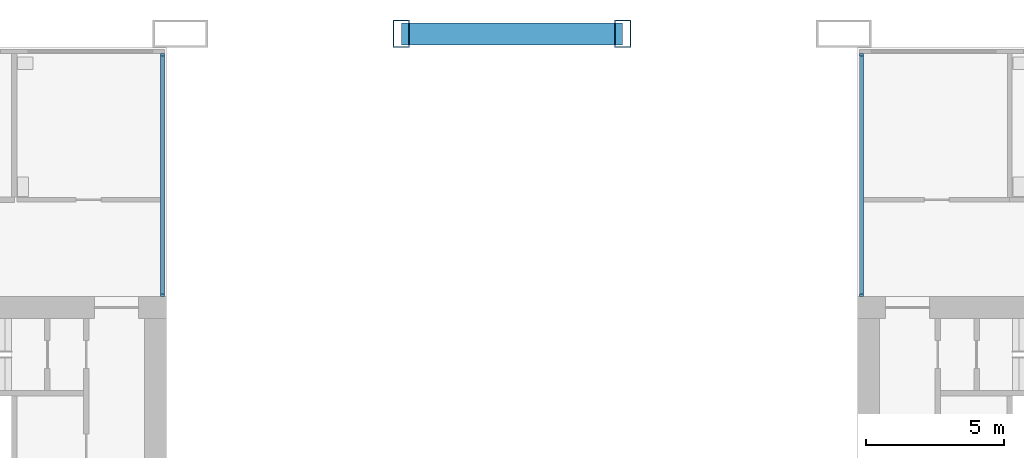
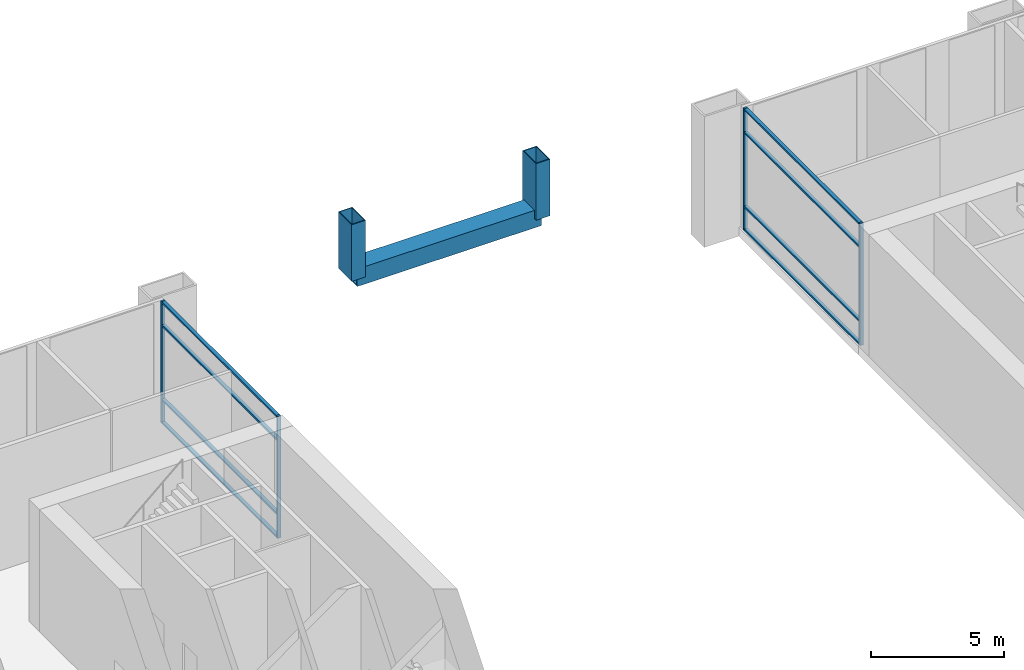
# One storey, part 13 of 25: 15 members, 2 elements without a shape of their own.
"""IFC4 building model written with IfcOpenShell, lengths in metres."""

from ifc_helpers import new_model, si_unit, direction, frame, origin, origin_2d, place, context, subcontext, project, spatial, rectangle, hollow_rectangle, extrude, material, material_profile, profile_set, type_object, element, aggregate, save


model = new_model("IFC4")

# Units and contexts
model_context = context("Model", 3, precision=1e-05, world=origin(), true_north=direction((0.0, 1.0)))
body_context = subcontext(model_context, "Body", "Model", "MODEL_VIEW")
ifc_project = project(units=[si_unit("LENGTHUNIT", "METRE"), si_unit("AREAUNIT", "SQUARE_METRE"), si_unit("VOLUMEUNIT", "CUBIC_METRE"), si_unit("PLANEANGLEUNIT", "RADIAN"), si_unit("MASSUNIT", "GRAM", prefix="KILO")], contexts=[model_context])

# Site, building, storey
site_placement = place(None, origin())
site = spatial("IfcSite", under=ifc_project, at=site_placement, CompositionType="ELEMENT")
building_placement = place(site_placement, origin())
building = spatial("IfcBuilding", under=site, at=building_placement, Name="Kitamizu Gate Tower and Museum", CompositionType="ELEMENT")
storey_placement = place(building_placement, frame((0.0, 0.0, 18.0)))
storey = spatial("IfcBuildingStorey", under=building, at=storey_placement, Name="L03", CompositionType="ELEMENT", Elevation=18.0)

# Members
ifc_material_1 = material(Name="Steel SM490A bronze coated", Category="steel")
ifc_material_profile_1 = material_profile(ifc_material_1, hollow_rectangle(XDim=0.800048828125, YDim=0.800048828125, WallThickness=0.050048828125, at=origin_2d()), Name="BOX 800x800x50")
ifc_profile_set_1 = profile_set([ifc_material_profile_1], Name="Steel SM490A bronze coated")
member_type_1 = type_object("IfcMemberType", Name="Arch rib AR1 BOX 800x800x50", PredefinedType="USERDEFINED", material=ifc_profile_set_1)
member_1_placement = place(storey_placement, frame((32.0, 48.0, 3.39990234375), z_axis=(1.0, 0.0, 0.0), x_axis=(0.0, 1.0, 0.0)))
element("IfcMember", 1, at=member_1_placement, inside=storey, type_object=member_type_1, Name="Arch rib crown N", ObjectType="ARCH RIB", PredefinedType="USERDEFINED", context=body_context, shape_type="SweptSolid", body=[
    extrude(hollow_rectangle(XDim=0.800048828125, YDim=0.800048828125, WallThickness=0.050048828125, at=origin_2d()), origin(), (0.0, 0.0, 1.0), 8.0),
])
ifc_material_2 = material(Name="Steel SM490A bronze coated", Category="steel")
ifc_material_profile_2 = material_profile(ifc_material_2, hollow_rectangle(XDim=0.60009765625, YDim=1.0, WallThickness=0.034912109375, at=origin_2d()), Name="BOX 600x1000x35")
ifc_profile_set_2 = profile_set([ifc_material_profile_2], Name="Steel SM490A bronze coated")
member_type_2 = type_object("IfcMemberType", Name="Arch rib tie post AP1 BOX 600x1000x35", PredefinedType="USERDEFINED", material=ifc_profile_set_2)
for number, where, z_axis, x_axis, name in (
    (2, (32.0, 48.0, 3.39990234375), (0.0, 0.0, 1.0), (1.0, 0.0, 0.0), "Arch rib tie post NW-4"),
    (3, (40.0, 48.0, 3.39990234375), (0.0, 0.0, 1.0), (1.0, 0.0, 0.0), "Arch rib tie post NE-4"),
):
    element("IfcMember", number, at=place(storey_placement, frame(where, z_axis=z_axis, x_axis=x_axis)), inside=storey, type_object=member_type_2, Name=name, ObjectType="ARCH POST", PredefinedType="USERDEFINED", context=body_context, shape_type="SweptSolid", body=[
        extrude(hollow_rectangle(XDim=0.60009765625, YDim=1.0, WallThickness=0.034912109375, at=origin_2d()), origin(), (0.0, 0.0, 1.0), 2.60009765625),
    ])

# Curtain wall, members
ifc_material_3 = material(Name="Bronze anodised aluminium frame, tinted triple glazing", Category="aluminium")
curtain_wall_type = type_object("IfcCurtainWallType", Name="CURTAIN WALL TYPE A PODIUM", PredefinedType="NOTDEFINED", material=ifc_material_3)
curtain_wall_1_placement = place(storey_placement, origin())
curtain_wall_1 = element("IfcCurtainWall", 4, at=curtain_wall_1_placement, inside=storey, type_object=curtain_wall_type, Name="Curtain wall CW-A east L03", PredefinedType="NOTDEFINED")
ifc_material_4 = material(Name="Bronze anodised aluminium", Category="aluminium")
ifc_material_profile_3 = material_profile(ifc_material_4, rectangle(XDim=0.090087890625, YDim=0.14990234375, at=origin_2d()), Name="AL 90X150")
ifc_profile_set_3 = profile_set([ifc_material_profile_3], Name="Bronze anodised aluminium")
member_type_3 = type_object("IfcMemberType", Name="MULLION 90 X 150 TYPE A", PredefinedType="MULLION", material=ifc_profile_set_3)
member_2_placement = place(storey_placement, frame((23.364990234375, 38.544921875, 0.0), z_axis=(0.0, 0.0, 1.0), x_axis=(0.0, 1.0, 0.0)))
member_2 = element("IfcMember", 5, at=member_2_placement, type_object=member_type_3, Name="CW-A mullion 1", PredefinedType="MULLION", context=body_context, shape_type="SweptSolid", body=[
    extrude(rectangle(XDim=0.090087890625, YDim=0.14990234375, at=origin_2d()), origin(), (0.0, 0.0, 1.0), 5.60009765625),
])
member_3_placement = place(storey_placement, frame((23.364990234375, 47.2451171875, 0.0), z_axis=(0.0, 0.0, 1.0), x_axis=(0.0, 1.0, 0.0)))
member_3 = element("IfcMember", 6, at=member_3_placement, type_object=member_type_3, Name="CW-A mullion 2", PredefinedType="MULLION", context=body_context, shape_type="SweptSolid", body=[
    extrude(rectangle(XDim=0.090087890625, YDim=0.14990234375, at=origin_2d()), origin(), (0.0, 0.0, 1.0), 5.60009765625),
])

curtain_wall_2_placement = place(storey_placement, origin())
curtain_wall_2 = element("IfcCurtainWall", 7, at=curtain_wall_2_placement, inside=storey, type_object=curtain_wall_type, Name="Curtain wall CW-A west L03", PredefinedType="NOTDEFINED")
member_4_placement = place(storey_placement, frame((48.635009765625, 38.544921875, 0.0), z_axis=(0.0, 0.0, 1.0), x_axis=(0.0, 1.0, 0.0)))
member_4 = element("IfcMember", 8, at=member_4_placement, type_object=member_type_3, Name="CW-A mullion 1", PredefinedType="MULLION", context=body_context, shape_type="SweptSolid", body=[
    extrude(rectangle(XDim=0.090087890625, YDim=0.14990234375, at=origin_2d()), origin(), (0.0, 0.0, 1.0), 5.60009765625),
])
member_5_placement = place(storey_placement, frame((48.635009765625, 47.2451171875, 0.0), z_axis=(0.0, 0.0, 1.0), x_axis=(0.0, 1.0, 0.0)))
member_5 = element("IfcMember", 9, at=member_5_placement, type_object=member_type_3, Name="CW-A mullion 2", PredefinedType="MULLION", context=body_context, shape_type="SweptSolid", body=[
    extrude(rectangle(XDim=0.090087890625, YDim=0.14990234375, at=origin_2d()), origin(), (0.0, 0.0, 1.0), 5.60009765625),
])

# Member
ifc_material_5 = material(Name="Bronze anodised aluminium", Category="aluminium")
ifc_material_profile_4 = material_profile(ifc_material_5, rectangle(XDim=0.14990234375, YDim=0.080078125, at=origin_2d()), Name="AL 80X150")
ifc_profile_set_4 = profile_set([ifc_material_profile_4], Name="Bronze anodised aluminium")
member_type_4 = type_object("IfcMemberType", Name="TRANSOM 80 X 150 TYPE A", PredefinedType="USERDEFINED", material=ifc_profile_set_4)
member_6_placement = place(storey_placement, frame((23.364990234375, 38.590087890625, 0.0400390625), z_axis=(0.0, 1.0, 0.0), x_axis=(-1.0, 0.0, 0.0)))
member_6 = element("IfcMember", 10, at=member_6_placement, type_object=member_type_4, Name="CW-A transom 1.1", ObjectType="TRANSOM", PredefinedType="USERDEFINED", context=body_context, shape_type="SweptSolid", body=[
    extrude(rectangle(XDim=0.14990234375, YDim=0.080078125, at=origin_2d()), origin(), (0.0, 0.0, 1.0), 8.60986328125),
])

member_7_placement = place(storey_placement, frame((23.364990234375, 38.590087890625, 1.10009765625), z_axis=(0.0, 1.0, 0.0), x_axis=(-1.0, 0.0, 0.0)))
member_7 = element("IfcMember", 11, at=member_7_placement, type_object=member_type_4, Name="CW-A transom 1.2", ObjectType="TRANSOM", PredefinedType="USERDEFINED", context=body_context, shape_type="SweptSolid", body=[
    extrude(rectangle(XDim=0.14990234375, YDim=0.080078125, at=origin_2d()), origin(), (0.0, 0.0, 1.0), 8.60986328125),
])

member_8_placement = place(storey_placement, frame((23.364990234375, 38.590087890625, 4.5), z_axis=(0.0, 1.0, 0.0), x_axis=(-1.0, 0.0, 0.0)))
member_8 = element("IfcMember", 12, at=member_8_placement, type_object=member_type_4, Name="CW-A transom 1.3", ObjectType="TRANSOM", PredefinedType="USERDEFINED", context=body_context, shape_type="SweptSolid", body=[
    extrude(rectangle(XDim=0.14990234375, YDim=0.080078125, at=origin_2d()), origin(), (0.0, 0.0, 1.0), 8.60986328125),
])

member_9_placement = place(storey_placement, frame((23.364990234375, 38.590087890625, 5.56005859375), z_axis=(0.0, 1.0, 0.0), x_axis=(-1.0, 0.0, 0.0)))
member_9 = element("IfcMember", 13, at=member_9_placement, type_object=member_type_4, Name="CW-A transom 1.4", ObjectType="TRANSOM", PredefinedType="USERDEFINED", context=body_context, shape_type="SweptSolid", body=[
    extrude(rectangle(XDim=0.14990234375, YDim=0.080078125, at=origin_2d()), origin(), (0.0, 0.0, 1.0), 8.60986328125),
])

aggregate(curtain_wall_1, [member_2, member_3, member_6, member_7, member_8, member_9])

member_10_placement = place(storey_placement, frame((48.635009765625, 38.590087890625, 0.0400390625), z_axis=(0.0, 1.0, 0.0), x_axis=(-1.0, 0.0, 0.0)))
member_10 = element("IfcMember", 14, at=member_10_placement, type_object=member_type_4, Name="CW-A transom 1.1", ObjectType="TRANSOM", PredefinedType="USERDEFINED", context=body_context, shape_type="SweptSolid", body=[
    extrude(rectangle(XDim=0.14990234375, YDim=0.080078125, at=origin_2d()), origin(), (0.0, 0.0, 1.0), 8.60986328125),
])

member_11_placement = place(storey_placement, frame((48.635009765625, 38.590087890625, 1.10009765625), z_axis=(0.0, 1.0, 0.0), x_axis=(-1.0, 0.0, 0.0)))
member_11 = element("IfcMember", 15, at=member_11_placement, type_object=member_type_4, Name="CW-A transom 1.2", ObjectType="TRANSOM", PredefinedType="USERDEFINED", context=body_context, shape_type="SweptSolid", body=[
    extrude(rectangle(XDim=0.14990234375, YDim=0.080078125, at=origin_2d()), origin(), (0.0, 0.0, 1.0), 8.60986328125),
])

member_12_placement = place(storey_placement, frame((48.635009765625, 38.590087890625, 4.5), z_axis=(0.0, 1.0, 0.0), x_axis=(-1.0, 0.0, 0.0)))
member_12 = element("IfcMember", 16, at=member_12_placement, type_object=member_type_4, Name="CW-A transom 1.3", ObjectType="TRANSOM", PredefinedType="USERDEFINED", context=body_context, shape_type="SweptSolid", body=[
    extrude(rectangle(XDim=0.14990234375, YDim=0.080078125, at=origin_2d()), origin(), (0.0, 0.0, 1.0), 8.60986328125),
])

member_13_placement = place(storey_placement, frame((48.635009765625, 38.590087890625, 5.56005859375), z_axis=(0.0, 1.0, 0.0), x_axis=(-1.0, 0.0, 0.0)))
member_13 = element("IfcMember", 17, at=member_13_placement, type_object=member_type_4, Name="CW-A transom 1.4", ObjectType="TRANSOM", PredefinedType="USERDEFINED", context=body_context, shape_type="SweptSolid", body=[
    extrude(rectangle(XDim=0.14990234375, YDim=0.080078125, at=origin_2d()), origin(), (0.0, 0.0, 1.0), 8.60986328125),
])

aggregate(curtain_wall_2, [member_4, member_5, member_10, member_11, member_12, member_13])

save(model, "model.ifc")
